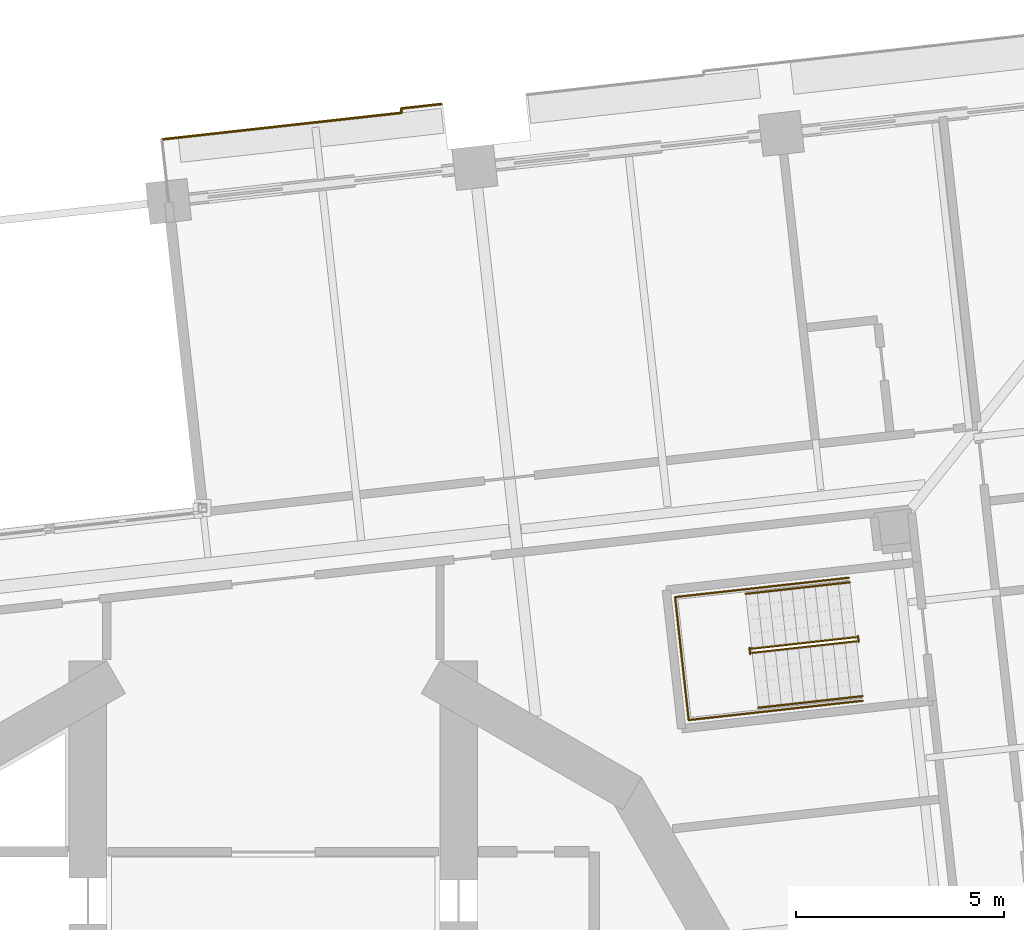
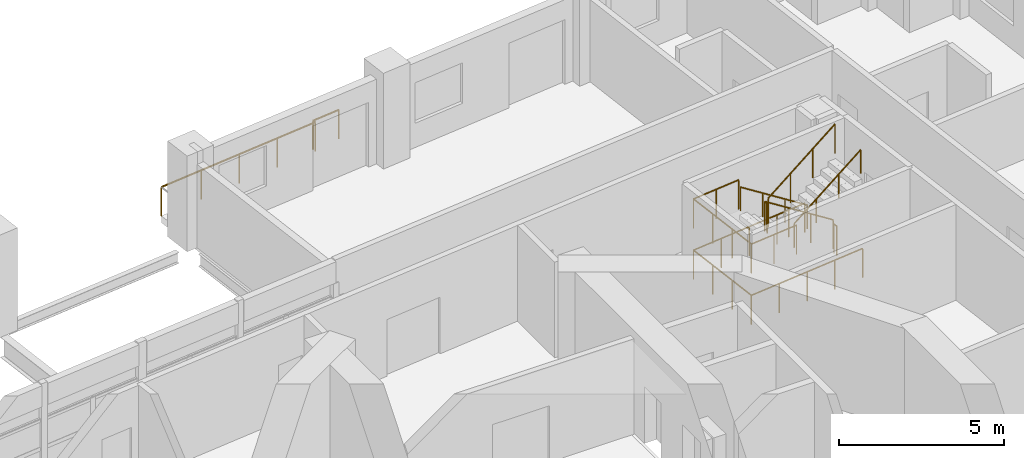
# One storey, part 19 of 21: 8 railings.
"""IFC4 building model written with IfcOpenShell, lengths in metres."""

from ifc_helpers import new_model, si_unit, direction, frame, origin, origin_2d, place, context, subcontext, project, spatial, circle, extrude, material, type_object, element, save


model = new_model("IFC4")

# Units and contexts
model_context = context("Model", 3, precision=1e-05, world=origin(), true_north=direction((0.0, 1.0)))
body_context = subcontext(model_context, "Body", "Model", "MODEL_VIEW")
ifc_project = project(units=[si_unit("LENGTHUNIT", "METRE"), si_unit("AREAUNIT", "SQUARE_METRE"), si_unit("VOLUMEUNIT", "CUBIC_METRE"), si_unit("PLANEANGLEUNIT", "RADIAN"), si_unit("MASSUNIT", "GRAM", prefix="KILO")], contexts=[model_context])

# Site, building, storey
site_placement = place(None, origin())
site = spatial("IfcSite", under=ifc_project, at=site_placement, CompositionType="ELEMENT")
building_placement = place(site_placement, origin())
building = spatial("IfcBuilding", under=site, at=building_placement, Name="Cantera Rosa Tower", CompositionType="ELEMENT")
storey_placement = place(building_placement, frame((0.0, 0.0, 61.5)))
storey = spatial("IfcBuildingStorey", under=building, at=storey_placement, Name="L12", CompositionType="ELEMENT", Elevation=61.5)

# Railings
ifc_material_1 = material(Name="Stainless steel and laminated glass", Category="steel")
railing_type_1 = type_object("IfcRailingType", Name="GUARD 1100", PredefinedType="BALUSTRADE", material=ifc_material_1)
railing_1_placement = place(storey_placement, frame((-2.6806640625, 24.151611328125, 0.0)))
element("IfcRailing", 1, at=railing_1_placement, inside=storey, type_object=railing_type_1, Name="GUARD L12-6", PredefinedType="BALUSTRADE", context=body_context, shape_type="SweptSolid", body=[
    extrude(circle(Radius=0.030029296875, at=origin_2d()), frame((0.0, 0.0, 1.070068359375), z_axis=(0.993893654236, 0.110342213455, 0.0), x_axis=(-0.110342213455, 0.993893654236, 0.0)), (0.0, 0.0, 1.0), 1.500244140625),
    extrude(circle(Radius=0.030029296875, at=origin_2d()), frame((1.490966796875, 0.16552734375, 1.070068359375), z_axis=(0.993897587788, 0.110306776711, 0.0), x_axis=(-0.110306776711, 0.993897587788, 0.0)), (0.0, 0.0, 1.0), 4.2958984375),
    extrude(circle(Radius=0.030029296875, at=origin_2d()), frame((5.7607421875, 0.639404296875, 1.070068359375), z_axis=(-0.110431526075, 0.993883734674, 0.0), x_axis=(-0.993883734674, -0.110431526075, 0.0)), (0.0, 0.0, 1.0), 0.10400390625),
    extrude(circle(Radius=0.030029296875, at=origin_2d()), frame((5.749267578125, 0.74267578125, 1.070068359375), z_axis=(0.993899009794, 0.110293963256, 0.0), x_axis=(-0.110293963256, 0.993899009794, 0.0)), (0.0, 0.0, 1.0), 0.973876953125),
    extrude(circle(Radius=0.02490234375, at=origin_2d()), origin(), (0.0, 0.0, 1.0), 1.0400390625),
    extrude(circle(Radius=0.02490234375, at=origin_2d()), frame((1.490966796875, 0.16552734375, 0.0)), (0.0, 0.0, 1.0), 1.0400390625),
    extrude(circle(Radius=0.02490234375, at=origin_2d()), frame((2.914306640625, 0.323486328125, 0.0)), (0.0, 0.0, 1.0), 1.0400390625),
    extrude(circle(Radius=0.02490234375, at=origin_2d()), frame((4.33740234375, 0.4814453125, 0.0)), (0.0, 0.0, 1.0), 1.0400390625),
    extrude(circle(Radius=0.02490234375, at=origin_2d()), frame((5.7607421875, 0.639404296875, 0.0)), (0.0, 0.0, 1.0), 1.0400390625),
    extrude(circle(Radius=0.02490234375, at=origin_2d()), frame((5.749267578125, 0.74267578125, 0.0)), (0.0, 0.0, 1.0), 1.0400390625),
    extrude(circle(Radius=0.02490234375, at=origin_2d()), frame((6.71728515625, 0.85009765625, 0.0)), (0.0, 0.0, 1.0), 1.0400390625),
])
ifc_material_2 = material(Name="Steel S355J2 (EN 10025-2)", Category="steel")
railing_type_2 = type_object("IfcRailingType", Name="STAIR GUARD 1100", PredefinedType="GUARDRAIL", material=ifc_material_2)
railing_2_placement = place(storey_placement, frame((13.986083984375, 12.203125, 0.18994140625)))
element("IfcRailing", 2, at=railing_2_placement, inside=storey, type_object=railing_type_2, Name="L12 ST-11 stair guard 1", PredefinedType="GUARDRAIL", context=body_context, shape_type="SweptSolid", body=[
    extrude(circle(Radius=0.02392578125, at=origin_2d()), frame((0.0, 0.0, 1.076171875), z_axis=(-0.822431337597, -0.091310000343, 0.561488360321), x_axis=(0.110346460196, -0.993893182753, 0.0)), (0.0, 0.0, 1.0), 3.04541015625),
    extrude(circle(Radius=0.02392578125, at=origin_2d()), frame((-2.504638671875, -0.278076171875, 2.7861328125), z_axis=(-0.931434406233, 0.363909256389, 0.0), x_axis=(-0.363909256389, -0.931434406233, 0.0)), (0.0, 0.0, 1.0), 0.056396484375),
    extrude(circle(Radius=0.02392578125, at=origin_2d()), frame((-2.55712890625, -0.257568359375, 2.7861328125), z_axis=(0.1090029065, -0.994041430915, 0.0), x_axis=(0.994041430915, 0.1090029065, 0.0)), (0.0, 0.0, 1.0), 0.150146484375),
    extrude(circle(Radius=0.02099609375, at=origin_2d()), origin(), (0.0, 0.0, 1.0), 1.052001953125),
    extrude(circle(Radius=0.02099609375, at=origin_2d()), frame((-0.8349609375, -0.0927734375, 0.570068359375)), (0.0, 0.0, 1.0), 1.052001953125),
    extrude(circle(Radius=0.02099609375, at=origin_2d()), frame((-1.669677734375, -0.185302734375, 1.139892578125)), (0.0, 0.0, 1.0), 1.052001953125),
    extrude(circle(Radius=0.02099609375, at=origin_2d()), frame((-2.504638671875, -0.278076171875, 1.7099609375)), (0.0, 0.0, 1.0), 1.052001953125),
    extrude(circle(Radius=0.02099609375, at=origin_2d()), frame((-2.55712890625, -0.257568359375, 1.7099609375)), (0.0, 0.0, 1.0), 1.052001953125),
    extrude(circle(Radius=0.02099609375, at=origin_2d()), frame((-2.540771484375, -0.40673828125, 1.7099609375)), (0.0, 0.0, 1.0), 1.052001953125),
])
railing_3_placement = place(storey_placement, frame((11.4921875, 11.82763671875, 2.090087890625)))
element("IfcRailing", 3, at=railing_3_placement, inside=storey, type_object=railing_type_2, Name="L12 ST-11 stair guard 2", PredefinedType="GUARDRAIL", context=body_context, shape_type="SweptSolid", body=[
    extrude(circle(Radius=0.02392578125, at=origin_2d()), frame((0.0, 0.0, 1.076171875), z_axis=(0.822431337597, 0.091310000343, 0.561488360321), x_axis=(-0.110346460196, 0.993893182753, 0.0)), (0.0, 0.0, 1.0), 3.04541015625),
    extrude(circle(Radius=0.02099609375, at=origin_2d()), origin(), (0.0, 0.0, 1.0), 1.052001953125),
    extrude(circle(Radius=0.02099609375, at=origin_2d()), frame((0.8349609375, 0.0927734375, 0.570068359375)), (0.0, 0.0, 1.0), 1.052001953125),
    extrude(circle(Radius=0.02099609375, at=origin_2d()), frame((1.669677734375, 0.185302734375, 1.139892578125)), (0.0, 0.0, 1.0), 1.052001953125),
    extrude(circle(Radius=0.02099609375, at=origin_2d()), frame((2.504638671875, 0.278076171875, 1.7099609375)), (0.0, 0.0, 1.0), 1.052001953125),
])
railing_4_placement = place(storey_placement, frame((14.032958984375, 12.234375, 0.0)))
element("IfcRailing", 4, at=railing_4_placement, inside=storey, type_object=railing_type_2, Name="L12 ST-11 stair guard 3", PredefinedType="GUARDRAIL", context=body_context, shape_type="SweptSolid", body=[
    extrude(circle(Radius=0.02392578125, at=origin_2d()), frame((0.0, 0.0, 1.076171875), z_axis=(0.109179471459, -0.994022053584, 0.0), x_axis=(0.994022053584, 0.109179471459, 0.0)), (0.0, 0.0, 1.0), 0.14990234375),
    extrude(circle(Radius=0.02099609375, at=origin_2d()), origin(), (0.0, 0.0, 1.0), 1.052001953125),
    extrude(circle(Radius=0.02099609375, at=origin_2d()), frame((0.016357421875, -0.14892578125, 0.0)), (0.0, 0.0, 1.0), 1.052001953125),
])
railing_5_placement = place(storey_placement, frame((13.815673828125, 13.629150390625, 0.0)))
element("IfcRailing", 5, at=railing_5_placement, inside=storey, type_object=railing_type_2, Name="L12 ST-11 stair guard 4", PredefinedType="GUARDRAIL", context=body_context, shape_type="SweptSolid", body=[
    extrude(circle(Radius=0.02392578125, at=origin_2d()), frame((0.0, 0.0, 1.076171875), z_axis=(-0.9938957856, -0.110323013767, 0.0), x_axis=(0.110323013767, -0.9938957856, 0.0)), (0.0, 0.0, 1.0), 4.197998046875),
    extrude(circle(Radius=0.02392578125, at=origin_2d()), frame((-4.17236328125, -0.463134765625, 1.076171875), z_axis=(0.110314237986, -0.993896759678, 0.0), x_axis=(0.993896759678, 0.110314237986, 0.0)), (0.0, 0.0, 1.0), 2.969970703125),
    extrude(circle(Radius=0.02392578125, at=origin_2d()), frame((-3.8447265625, -3.4150390625, 1.076171875), z_axis=(0.9938957856, 0.110323013767, 0.0), x_axis=(-0.110323013767, 0.9938957856, 0.0)), (0.0, 0.0, 1.0), 4.197998046875),
    extrude(circle(Radius=0.02099609375, at=origin_2d()), origin(), (0.0, 0.0, 1.0), 1.052001953125),
    extrude(circle(Radius=0.02099609375, at=origin_2d()), frame((-1.04296875, -0.11572265625, 0.0)), (0.0, 0.0, 1.0), 1.052001953125),
    extrude(circle(Radius=0.02099609375, at=origin_2d()), frame((-2.086181640625, -0.2314453125, 0.0)), (0.0, 0.0, 1.0), 1.052001953125),
    extrude(circle(Radius=0.02099609375, at=origin_2d()), frame((-3.12939453125, -0.347412109375, 0.0)), (0.0, 0.0, 1.0), 1.052001953125),
    extrude(circle(Radius=0.02099609375, at=origin_2d()), frame((-4.17236328125, -0.463134765625, 0.0)), (0.0, 0.0, 1.0), 1.052001953125),
    extrude(circle(Radius=0.02099609375, at=origin_2d()), frame((-4.063232421875, -1.447021484375, 0.0)), (0.0, 0.0, 1.0), 1.052001953125),
    extrude(circle(Radius=0.02099609375, at=origin_2d()), frame((-3.953857421875, -2.43115234375, 0.0)), (0.0, 0.0, 1.0), 1.052001953125),
    extrude(circle(Radius=0.02099609375, at=origin_2d()), frame((-3.8447265625, -3.4150390625, 0.0)), (0.0, 0.0, 1.0), 1.052001953125),
    extrude(circle(Radius=0.02099609375, at=origin_2d()), frame((-2.8017578125, -3.29931640625, 0.0)), (0.0, 0.0, 1.0), 1.052001953125),
    extrude(circle(Radius=0.02099609375, at=origin_2d()), frame((-1.758544921875, -3.18359375, 0.0)), (0.0, 0.0, 1.0), 1.052001953125),
    extrude(circle(Radius=0.02099609375, at=origin_2d()), frame((-0.71533203125, -3.067626953125, 0.0)), (0.0, 0.0, 1.0), 1.052001953125),
    extrude(circle(Radius=0.02099609375, at=origin_2d()), frame((0.32763671875, -2.951904296875, 0.0)), (0.0, 0.0, 1.0), 1.052001953125),
])
railing_6_placement = place(storey_placement, frame((11.3349609375, 13.353759765625, 1.89990234375)))
element("IfcRailing", 6, at=railing_6_placement, inside=storey, type_object=railing_type_2, Name="L12 ST-11 stair guard 5", PredefinedType="GUARDRAIL", context=body_context, shape_type="SweptSolid", body=[
    extrude(circle(Radius=0.02392578125, at=origin_2d()), frame((0.0, 0.0, 1.076171875), z_axis=(-0.993897720867, -0.110305577623, 0.0), x_axis=(0.110305577623, -0.993897720867, 0.0)), (0.0, 0.0, 1.0), 1.7021484375),
    extrude(circle(Radius=0.02392578125, at=origin_2d()), frame((-1.691650390625, -0.187744140625, 1.076171875), z_axis=(0.110314237986, -0.993896759678, 0.0), x_axis=(0.993896759678, 0.110314237986, 0.0)), (0.0, 0.0, 1.0), 2.969970703125),
    extrude(circle(Radius=0.02392578125, at=origin_2d()), frame((-1.364013671875, -3.1396484375, 1.076171875), z_axis=(0.993897720867, 0.110305577623, 0.0), x_axis=(-0.110305577623, 0.993897720867, 0.0)), (0.0, 0.0, 1.0), 1.7021484375),
    extrude(circle(Radius=0.02099609375, at=origin_2d()), origin(), (0.0, 0.0, 1.0), 1.052001953125),
    extrude(circle(Radius=0.02099609375, at=origin_2d()), frame((-0.845703125, -0.09375, 0.0)), (0.0, 0.0, 1.0), 1.052001953125),
    extrude(circle(Radius=0.02099609375, at=origin_2d()), frame((-1.691650390625, -0.187744140625, 0.0)), (0.0, 0.0, 1.0), 1.052001953125),
    extrude(circle(Radius=0.02099609375, at=origin_2d()), frame((-1.58251953125, -1.171630859375, 0.0)), (0.0, 0.0, 1.0), 1.052001953125),
    extrude(circle(Radius=0.02099609375, at=origin_2d()), frame((-1.47314453125, -2.15576171875, 0.0)), (0.0, 0.0, 1.0), 1.052001953125),
    extrude(circle(Radius=0.02099609375, at=origin_2d()), frame((-1.364013671875, -3.1396484375, 0.0)), (0.0, 0.0, 1.0), 1.052001953125),
    extrude(circle(Radius=0.02099609375, at=origin_2d()), frame((-0.51806640625, -3.0458984375, 0.0)), (0.0, 0.0, 1.0), 1.052001953125),
    extrude(circle(Radius=0.02099609375, at=origin_2d()), frame((0.32763671875, -2.951904296875, 0.0)), (0.0, 0.0, 1.0), 1.052001953125),
])
ifc_material_3 = material(Name="Steel S355J2 (EN 10025-2)", Category="steel")
railing_type_3 = type_object("IfcRailingType", Name="STAIR HANDRAIL 900", PredefinedType="HANDRAIL", material=ifc_material_3)
railing_7_placement = place(storey_placement, frame((13.83984375, 13.52099609375, 0.18994140625)))
element("IfcRailing", 7, at=railing_7_placement, inside=storey, type_object=railing_type_3, Name="L12 ST-11 stair handrail 1", PredefinedType="HANDRAIL", context=body_context, shape_type="SweptSolid", body=[
    extrude(circle(Radius=0.02392578125, at=origin_2d()), frame((0.0, 0.0, 0.8759765625), z_axis=(-0.822437355244, -0.09123050105, 0.561492468674), x_axis=(0.110250758185, -0.993903803353, 0.0)), (0.0, 0.0, 1.0), 3.04541015625),
    extrude(circle(Radius=0.02099609375, at=origin_2d()), origin(), (0.0, 0.0, 1.0), 0.851806640625),
    extrude(circle(Radius=0.02099609375, at=origin_2d()), frame((-0.8349609375, -0.092529296875, 0.570068359375)), (0.0, 0.0, 1.0), 0.851806640625),
    extrude(circle(Radius=0.02099609375, at=origin_2d()), frame((-1.669677734375, -0.185302734375, 1.139892578125)), (0.0, 0.0, 1.0), 0.851806640625),
    extrude(circle(Radius=0.02099609375, at=origin_2d()), frame((-2.504638671875, -0.27783203125, 1.7099609375)), (0.0, 0.0, 1.0), 0.851806640625),
])
railing_8_placement = place(storey_placement, frame((11.638427734375, 10.509765625, 2.090087890625)))
element("IfcRailing", 8, at=railing_8_placement, inside=storey, type_object=railing_type_3, Name="L12 ST-11 stair handrail 2", PredefinedType="HANDRAIL", context=body_context, shape_type="SweptSolid", body=[
    extrude(circle(Radius=0.02392578125, at=origin_2d()), frame((0.0, 0.0, 0.8759765625), z_axis=(0.822431337597, 0.091310000343, 0.561488360321), x_axis=(-0.110346460196, 0.993893182753, 0.0)), (0.0, 0.0, 1.0), 3.04541015625),
    extrude(circle(Radius=0.02099609375, at=origin_2d()), origin(), (0.0, 0.0, 1.0), 0.851806640625),
    extrude(circle(Radius=0.02099609375, at=origin_2d()), frame((0.8349609375, 0.0927734375, 0.570068359375)), (0.0, 0.0, 1.0), 0.851806640625),
    extrude(circle(Radius=0.02099609375, at=origin_2d()), frame((1.669677734375, 0.185302734375, 1.139892578125)), (0.0, 0.0, 1.0), 0.851806640625),
    extrude(circle(Radius=0.02099609375, at=origin_2d()), frame((2.504638671875, 0.278076171875, 1.7099609375)), (0.0, 0.0, 1.0), 0.851806640625),
])

save(model, "model.ifc")
